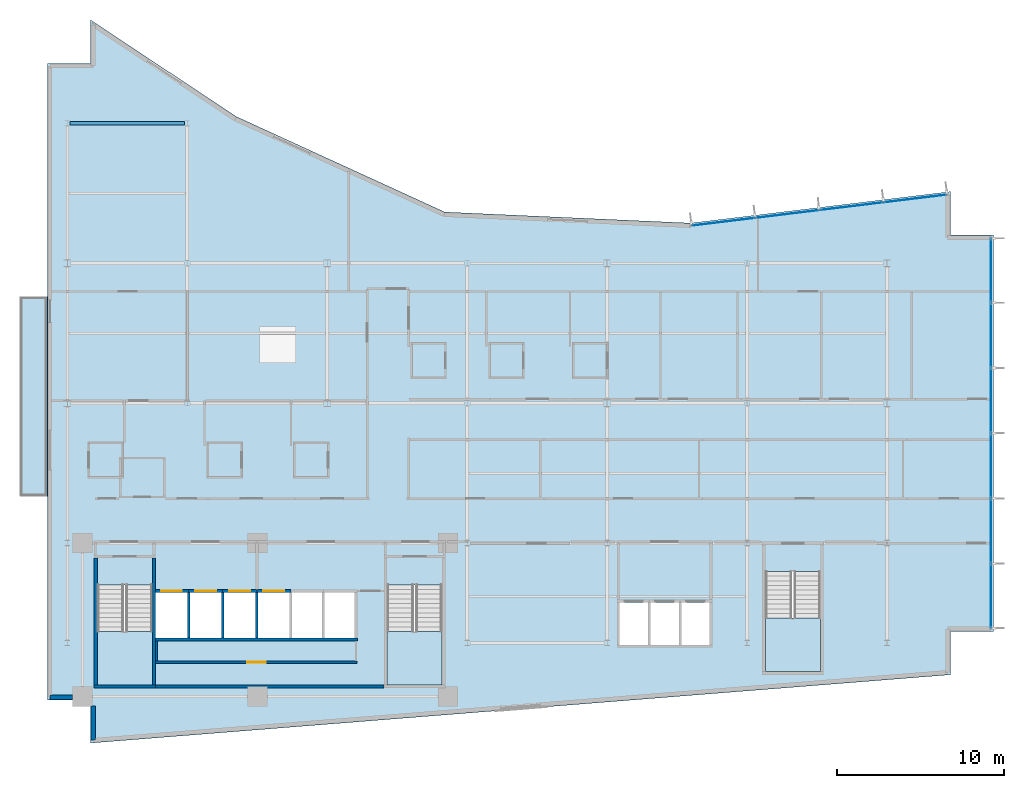
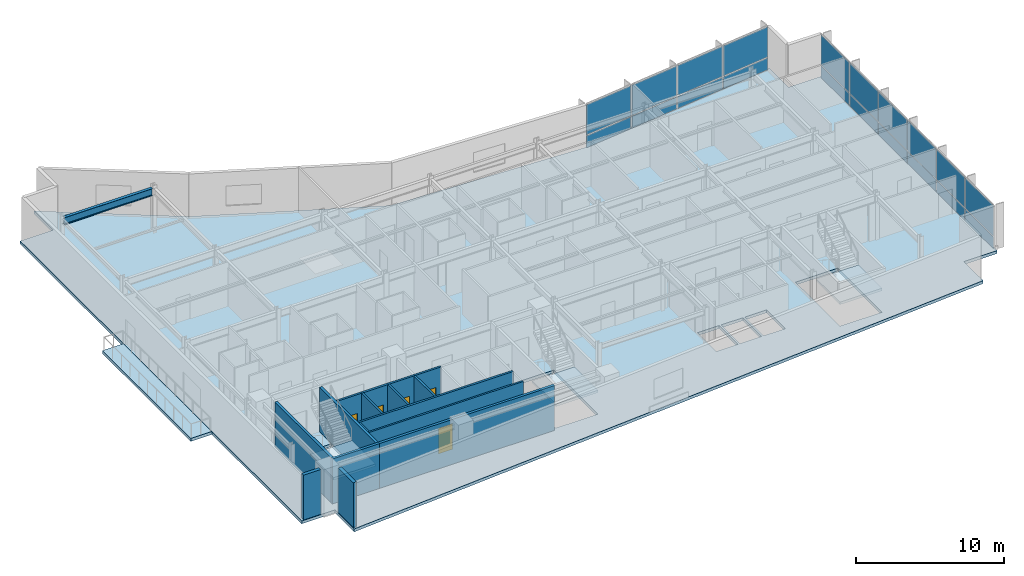
# One storey, part 9 of 19: 20 plates, 16 walls, 5 doors, 5 slabs, 1 beam, 5 openings, 5 elements without a shape of their own.
"""IFC4 building model written with IfcOpenShell, lengths in metres."""

from ifc_helpers import new_model, si_unit, direction, frame, frame_2d, origin, origin_2d, place, context, subcontext, project, spatial, polyline, rectangle, i_section, outline, extrude, material, layer, layer_set, material_profile, profile_set, type_object, element, fill, aggregate, save


model = new_model("IFC4")

# Units and contexts
model_context = context("Model", 3, precision=1e-05, world=origin(), true_north=direction((0.0, 1.0)))
body_context = subcontext(model_context, "Body", "Model", "MODEL_VIEW")
ifc_project = project(units=[si_unit("LENGTHUNIT", "METRE"), si_unit("AREAUNIT", "SQUARE_METRE"), si_unit("VOLUMEUNIT", "CUBIC_METRE"), si_unit("PLANEANGLEUNIT", "RADIAN"), si_unit("MASSUNIT", "GRAM", prefix="KILO")], contexts=[model_context])

# Site, building, storey
site_placement = place(None, origin())
site = spatial("IfcSite", under=ifc_project, at=site_placement, CompositionType="ELEMENT")
building_placement = place(site_placement, origin())
building = spatial("IfcBuilding", under=site, at=building_placement, Name="Varnakote Quay Hospital", CompositionType="ELEMENT")
storey_placement = place(building_placement, frame((0.0, 0.0, 115.199951171875)))
storey = spatial("IfcBuildingStorey", under=building, at=storey_placement, Name="L28", CompositionType="ELEMENT", Elevation=115.199951171875)

# Beam
ifc_material_1 = material(Name="Structural steel AS/NZS 3679.1 Grade 350 L0 (fy 340 MPa)", Category="steel")
ifc_material_profile = material_profile(ifc_material_1, i_section(OverallWidth=0.22802734375, OverallDepth=0.60205078125, WebThickness=0.010498046875, FlangeThickness=0.014892578125, FilletRadius=0.013916015625, at=origin_2d()), Name="610UB101")
ifc_profile_set = profile_set([ifc_material_profile], Name="Structural steel AS/NZS 3679.1 Grade 350 L0 (fy 340 MPa)")
beam_type = type_object("IfcBeamType", Name="BM-STL-610UB101", PredefinedType="BEAM", material=ifc_profile_set)
beam_placement = place(storey_placement, frame((1.3544921875, 37.199951171875, 3.408935546875), z_axis=(1.0, 0.0, 0.0), x_axis=(0.0, 1.0, 0.0)))
element("IfcBeam", 1, at=beam_placement, inside=storey, type_object=beam_type, Name="L28 Primary Floor Beam", PredefinedType="BEAM", context=body_context, shape_type="SweptSolid", body=[
    extrude(i_section(OverallWidth=0.22802734375, OverallDepth=0.60205078125, WebThickness=0.010498046875, FlangeThickness=0.014892578125, FilletRadius=0.013916015625, at=origin_2d()), origin(), (0.0, 0.0, 1.0), 6.89111328125),
])

# Curtain wall, plates
ifc_material_2 = material(Name="Anodised aluminium 6063-T6 Bronze", Category="aluminium")
ifc_layer_1 = layer(ifc_material_2, 0.205078125)
ifc_layer_set_1 = layer_set([ifc_layer_1], Name="Anodised aluminium 6063-T6 Bronze")
curtain_wall_type = type_object("IfcCurtainWallType", Name="CW-SYS-3", PredefinedType="NOTDEFINED", material=ifc_layer_set_1)
curtain_wall_1_placement = place(storey_placement, origin())
curtain_wall_1 = element("IfcCurtainWall", 2, at=curtain_wall_1_placement, inside=storey, type_object=curtain_wall_type, Name="L28 Unitised Bronze Curtain Wall 1", PredefinedType="NOTDEFINED")
ifc_material_3 = material(Name="Double-glazed low-E solar glass", Category="glass")
ifc_layer_2 = layer(ifc_material_3, 0.028076171875)
ifc_layer_set_2 = layer_set([ifc_layer_2], Name="Double-glazed low-E solar glass")
plate_type = type_object("IfcPlateType", Name="CW-PNL-GLZ-28", PredefinedType="CURTAIN_PANEL", material=ifc_layer_set_2)
plate_1_placement = place(storey_placement, frame((56.639892578125, 8.83544921875, 0.0751953125), z_axis=(0.0, 0.0, 1.0), x_axis=(0.0, 1.0, 0.0)))
plate_1 = element("IfcPlate", 3, at=plate_1_placement, type_object=plate_type, Name="-3-L28-1 panel 1.1", PredefinedType="CURTAIN_PANEL", context=body_context, shape_type="SweptSolid", body=[
    extrude(rectangle(XDim=3.80078125, YDim=0.028076171875, at=origin_2d()), origin(), (0.0, 0.0, 1.0), 0.987548828125),
])
plate_2_placement = place(storey_placement, frame((56.639892578125, 8.83544921875, 1.137451171875), z_axis=(0.0, 0.0, 1.0), x_axis=(0.0, 1.0, 0.0)))
plate_2 = element("IfcPlate", 4, at=plate_2_placement, type_object=plate_type, Name="-3-L28-1 panel 1.2", PredefinedType="CURTAIN_PANEL", context=body_context, shape_type="SweptSolid", body=[
    extrude(rectangle(XDim=3.80078125, YDim=0.028076171875, at=origin_2d()), origin(), (0.0, 0.0, 1.0), 2.49755859375),
])
plate_3_placement = place(storey_placement, frame((56.639892578125, 12.72998046875, 0.0751953125), z_axis=(0.0, 0.0, 1.0), x_axis=(0.0, 1.0, 0.0)))
plate_3 = element("IfcPlate", 5, at=plate_3_placement, type_object=plate_type, Name="-3-L28-1 panel 2.1", PredefinedType="CURTAIN_PANEL", context=body_context, shape_type="SweptSolid", body=[
    extrude(rectangle(XDim=3.83837890625, YDim=0.028076171875, at=origin_2d()), origin(), (0.0, 0.0, 1.0), 0.987548828125),
])
plate_4_placement = place(storey_placement, frame((56.639892578125, 12.72998046875, 1.137451171875), z_axis=(0.0, 0.0, 1.0), x_axis=(0.0, 1.0, 0.0)))
plate_4 = element("IfcPlate", 6, at=plate_4_placement, type_object=plate_type, Name="-3-L28-1 panel 2.2", PredefinedType="CURTAIN_PANEL", context=body_context, shape_type="SweptSolid", body=[
    extrude(rectangle(XDim=3.83837890625, YDim=0.028076171875, at=origin_2d()), origin(), (0.0, 0.0, 1.0), 2.49755859375),
])
plate_5_placement = place(storey_placement, frame((56.639892578125, 16.643310546875, 0.0751953125), z_axis=(0.0, 0.0, 1.0), x_axis=(0.0, 1.0, 0.0)))
plate_5 = element("IfcPlate", 7, at=plate_5_placement, type_object=plate_type, Name="-3-L28-1 panel 3.1", PredefinedType="CURTAIN_PANEL", context=body_context, shape_type="SweptSolid", body=[
    extrude(rectangle(XDim=3.83837890625, YDim=0.028076171875, at=origin_2d()), origin(), (0.0, 0.0, 1.0), 0.987548828125),
])
plate_6_placement = place(storey_placement, frame((56.639892578125, 16.643310546875, 1.137451171875), z_axis=(0.0, 0.0, 1.0), x_axis=(0.0, 1.0, 0.0)))
plate_6 = element("IfcPlate", 8, at=plate_6_placement, type_object=plate_type, Name="-3-L28-1 panel 3.2", PredefinedType="CURTAIN_PANEL", context=body_context, shape_type="SweptSolid", body=[
    extrude(rectangle(XDim=3.83837890625, YDim=0.028076171875, at=origin_2d()), origin(), (0.0, 0.0, 1.0), 2.49755859375),
])
plate_7_placement = place(storey_placement, frame((56.639892578125, 20.556640625, 0.0751953125), z_axis=(0.0, 0.0, 1.0), x_axis=(0.0, 1.0, 0.0)))
plate_7 = element("IfcPlate", 9, at=plate_7_placement, type_object=plate_type, Name="-3-L28-1 panel 4.1", PredefinedType="CURTAIN_PANEL", context=body_context, shape_type="SweptSolid", body=[
    extrude(rectangle(XDim=3.83837890625, YDim=0.028076171875, at=origin_2d()), origin(), (0.0, 0.0, 1.0), 0.987548828125),
])
plate_8_placement = place(storey_placement, frame((56.639892578125, 20.556640625, 1.137451171875), z_axis=(0.0, 0.0, 1.0), x_axis=(0.0, 1.0, 0.0)))
plate_8 = element("IfcPlate", 10, at=plate_8_placement, type_object=plate_type, Name="-3-L28-1 panel 4.2", PredefinedType="CURTAIN_PANEL", context=body_context, shape_type="SweptSolid", body=[
    extrude(rectangle(XDim=3.83837890625, YDim=0.028076171875, at=origin_2d()), origin(), (0.0, 0.0, 1.0), 2.49755859375),
])
plate_9_placement = place(storey_placement, frame((56.639892578125, 24.469970703125, 0.0751953125), z_axis=(0.0, 0.0, 1.0), x_axis=(0.0, 1.0, 0.0)))
plate_9 = element("IfcPlate", 11, at=plate_9_placement, type_object=plate_type, Name="-3-L28-1 panel 5.1", PredefinedType="CURTAIN_PANEL", context=body_context, shape_type="SweptSolid", body=[
    extrude(rectangle(XDim=3.83837890625, YDim=0.028076171875, at=origin_2d()), origin(), (0.0, 0.0, 1.0), 0.987548828125),
])
plate_10_placement = place(storey_placement, frame((56.639892578125, 24.469970703125, 1.137451171875), z_axis=(0.0, 0.0, 1.0), x_axis=(0.0, 1.0, 0.0)))
plate_10 = element("IfcPlate", 12, at=plate_10_placement, type_object=plate_type, Name="-3-L28-1 panel 5.2", PredefinedType="CURTAIN_PANEL", context=body_context, shape_type="SweptSolid", body=[
    extrude(rectangle(XDim=3.83837890625, YDim=0.028076171875, at=origin_2d()), origin(), (0.0, 0.0, 1.0), 2.49755859375),
])
plate_11_placement = place(storey_placement, frame((56.639892578125, 28.364501953125, 0.0751953125), z_axis=(0.0, 0.0, 1.0), x_axis=(0.0, 1.0, 0.0)))
plate_11 = element("IfcPlate", 13, at=plate_11_placement, type_object=plate_type, Name="-3-L28-1 panel 6.1", PredefinedType="CURTAIN_PANEL", context=body_context, shape_type="SweptSolid", body=[
    extrude(rectangle(XDim=3.80078125, YDim=0.028076171875, at=origin_2d()), origin(), (0.0, 0.0, 1.0), 0.987548828125),
])
plate_12_placement = place(storey_placement, frame((56.639892578125, 28.364501953125, 1.137451171875), z_axis=(0.0, 0.0, 1.0), x_axis=(0.0, 1.0, 0.0)))
plate_12 = element("IfcPlate", 14, at=plate_12_placement, type_object=plate_type, Name="-3-L28-1 panel 6.2", PredefinedType="CURTAIN_PANEL", context=body_context, shape_type="SweptSolid", body=[
    extrude(rectangle(XDim=3.80078125, YDim=0.028076171875, at=origin_2d()), origin(), (0.0, 0.0, 1.0), 2.49755859375),
])
aggregate(curtain_wall_1, [plate_1, plate_2, plate_3, plate_4, plate_5, plate_6, plate_7, plate_8, plate_9, plate_10, plate_11, plate_12])

curtain_wall_2_placement = place(storey_placement, origin())
curtain_wall_2 = element("IfcCurtainWall", 15, at=curtain_wall_2_placement, inside=storey, type_object=curtain_wall_type, Name="L28 Unitised Bronze Curtain Wall 2", PredefinedType="NOTDEFINED")
plate_13_placement = place(storey_placement, frame((52.09521484375, 32.68359375, 0.0751953125), z_axis=(0.0, 0.0, 1.0), x_axis=(-0.992734295067, -0.12032713492, 0.0)))
plate_13 = element("IfcPlate", 16, at=plate_13_placement, type_object=plate_type, Name="-3-L28-2 panel 1.1", PredefinedType="CURTAIN_PANEL", context=body_context, shape_type="SweptSolid", body=[
    extrude(rectangle(XDim=3.76806640625, YDim=0.028076171875, at=origin_2d()), origin(), (0.0, 0.0, 1.0), 0.987548828125),
])
plate_14_placement = place(storey_placement, frame((52.09521484375, 32.68359375, 1.137451171875), z_axis=(0.0, 0.0, 1.0), x_axis=(-0.992734295067, -0.12032713492, 0.0)))
plate_14 = element("IfcPlate", 17, at=plate_14_placement, type_object=plate_type, Name="-3-L28-2 panel 1.2", PredefinedType="CURTAIN_PANEL", context=body_context, shape_type="SweptSolid", body=[
    extrude(rectangle(XDim=3.76806640625, YDim=0.028076171875, at=origin_2d()), origin(), (0.0, 0.0, 1.0), 2.49755859375),
])
plate_15_placement = place(storey_placement, frame((48.26123046875, 32.218994140625, 0.0751953125), z_axis=(0.0, 0.0, 1.0), x_axis=(-0.992734295067, -0.12032713492, 0.0)))
plate_15 = element("IfcPlate", 18, at=plate_15_placement, type_object=plate_type, Name="-3-L28-2 panel 2.1", PredefinedType="CURTAIN_PANEL", context=body_context, shape_type="SweptSolid", body=[
    extrude(rectangle(XDim=3.8056640625, YDim=0.028076171875, at=origin_2d()), origin(), (0.0, 0.0, 1.0), 0.987548828125),
])
plate_16_placement = place(storey_placement, frame((48.26123046875, 32.218994140625, 1.137451171875), z_axis=(0.0, 0.0, 1.0), x_axis=(-0.992734295067, -0.12032713492, 0.0)))
plate_16 = element("IfcPlate", 19, at=plate_16_placement, type_object=plate_type, Name="-3-L28-2 panel 2.2", PredefinedType="CURTAIN_PANEL", context=body_context, shape_type="SweptSolid", body=[
    extrude(rectangle(XDim=3.8056640625, YDim=0.028076171875, at=origin_2d()), origin(), (0.0, 0.0, 1.0), 2.49755859375),
])
plate_17_placement = place(storey_placement, frame((44.40869140625, 31.751953125, 0.0751953125), z_axis=(0.0, 0.0, 1.0), x_axis=(-0.992734295067, -0.12032713492, 0.0)))
plate_17 = element("IfcPlate", 20, at=plate_17_placement, type_object=plate_type, Name="-3-L28-2 panel 3.1", PredefinedType="CURTAIN_PANEL", context=body_context, shape_type="SweptSolid", body=[
    extrude(rectangle(XDim=3.8056640625, YDim=0.028076171875, at=origin_2d()), origin(), (0.0, 0.0, 1.0), 0.987548828125),
])
plate_18_placement = place(storey_placement, frame((44.40869140625, 31.751953125, 1.137451171875), z_axis=(0.0, 0.0, 1.0), x_axis=(-0.992734295067, -0.12032713492, 0.0)))
plate_18 = element("IfcPlate", 21, at=plate_18_placement, type_object=plate_type, Name="-3-L28-2 panel 3.2", PredefinedType="CURTAIN_PANEL", context=body_context, shape_type="SweptSolid", body=[
    extrude(rectangle(XDim=3.8056640625, YDim=0.028076171875, at=origin_2d()), origin(), (0.0, 0.0, 1.0), 2.49755859375),
])
plate_19_placement = place(storey_placement, frame((40.574951171875, 31.287353515625, 0.0751953125), z_axis=(0.0, 0.0, 1.0), x_axis=(-0.992734295067, -0.12032713492, 0.0)))
plate_19 = element("IfcPlate", 22, at=plate_19_placement, type_object=plate_type, Name="-3-L28-2 panel 4.1", PredefinedType="CURTAIN_PANEL", context=body_context, shape_type="SweptSolid", body=[
    extrude(rectangle(XDim=3.76806640625, YDim=0.028076171875, at=origin_2d()), origin(), (0.0, 0.0, 1.0), 0.987548828125),
])
plate_20_placement = place(storey_placement, frame((40.574951171875, 31.287353515625, 1.137451171875), z_axis=(0.0, 0.0, 1.0), x_axis=(-0.992734295067, -0.12032713492, 0.0)))
plate_20 = element("IfcPlate", 23, at=plate_20_placement, type_object=plate_type, Name="-3-L28-2 panel 4.2", PredefinedType="CURTAIN_PANEL", context=body_context, shape_type="SweptSolid", body=[
    extrude(rectangle(XDim=3.76806640625, YDim=0.028076171875, at=origin_2d()), origin(), (0.0, 0.0, 1.0), 2.49755859375),
])
aggregate(curtain_wall_2, [plate_13, plate_14, plate_15, plate_16, plate_17, plate_18, plate_19, plate_20])

# Stair, slab
ifc_material_4 = material(Name="Concrete N40 (f'c 40 MPa)", Category="concrete")
stair_type = type_object("IfcStairType", Name="STR-CORE-1580", PredefinedType="HALF_TURN_STAIR", material=ifc_material_4)
stair_1_placement = place(storey_placement, origin())
stair_1 = element("IfcStair", 24, at=stair_1_placement, inside=storey, type_object=stair_type, Name="L28 Fire-Isolated Exit Stair ST-01", PredefinedType="HALF_TURN_STAIR")
ifc_material_5 = material(Name="Concrete N40 (f'c 40 MPa)", Category="concrete")
ifc_layer_3 = layer(ifc_material_5, 0.199951171875)
ifc_layer_set_3 = layer_set([ifc_layer_3], Name="Concrete N40 (f'c 40 MPa)")
slab_type_1 = type_object("IfcSlabType", Name="SLB-STAIR-LND-200", PredefinedType="LANDING", material=ifc_layer_set_3)
slab_1_placement = place(storey_placement, frame((0.0, 0.0, 1.775146484375)))
slab_1 = element("IfcSlab", 25, at=slab_1_placement, type_object=slab_type_1, Name="ST-01 landing 1", PredefinedType="LANDING", context=body_context, shape_type="SweptSolid", body=[
    extrude(outline(polyline([(3.0, 6.699951171875), (3.0, 3.5), (6.300048828125, 3.5), (6.300048828125, 6.699951171875), (3.0, 6.699951171875)])), origin(), (0.0, 0.0, 1.0), 0.199951171875),
])
aggregate(stair_1, [slab_1])

stair_2_placement = place(storey_placement, origin())
stair_2 = element("IfcStair", 26, at=stair_2_placement, inside=storey, type_object=stair_type, Name="L28 Fire-Isolated Exit Stair ST-02", PredefinedType="HALF_TURN_STAIR")
slab_2_placement = place(storey_placement, frame((0.0, 0.0, 1.775146484375)))
slab_2 = element("IfcSlab", 27, at=slab_2_placement, type_object=slab_type_1, Name="ST-02 landing 1", PredefinedType="LANDING", context=body_context, shape_type="SweptSolid", body=[
    extrude(outline(polyline([(20.39990234375, 6.699951171875), (20.39990234375, 3.5), (23.699951171875, 3.5), (23.699951171875, 6.699951171875), (20.39990234375, 6.699951171875)])), origin(), (0.0, 0.0, 1.0), 0.199951171875),
])
aggregate(stair_2, [slab_2])

stair_3_placement = place(storey_placement, origin())
stair_3 = element("IfcStair", 28, at=stair_3_placement, inside=storey, type_object=stair_type, Name="L28 Fire-Isolated Exit Stair ST-03", PredefinedType="HALF_TURN_STAIR")
slab_3_placement = place(storey_placement, frame((0.0, 0.0, 1.775146484375)))
slab_3 = element("IfcSlab", 29, at=slab_3_placement, type_object=slab_type_1, Name="ST-03 landing 1", PredefinedType="LANDING", context=body_context, shape_type="SweptSolid", body=[
    extrude(outline(polyline([(43.10009765625, 7.5), (43.10009765625, 4.300048828125), (46.39990234375, 4.300048828125), (46.39990234375, 7.5), (43.10009765625, 7.5)])), origin(), (0.0, 0.0, 1.0), 0.199951171875),
])
aggregate(stair_3, [slab_3])

# Slabs
ifc_material_6 = material(Name="Concrete N50 (f'c 50 MPa)", Category="concrete")
ifc_layer_4 = layer(ifc_material_6, 0.239990234375)
ifc_layer_set_4 = layer_set([ifc_layer_4], Name="Concrete N50 (f'c 50 MPa)")
slab_type_2 = type_object("IfcSlabType", Name="SLB-TERR-200", PredefinedType="FLOOR", material=ifc_layer_set_4)
slab_4_placement = place(storey_placement, frame((0.0, 0.0, -0.239990234375)))
element("IfcSlab", 30, at=slab_4_placement, inside=storey, type_object=slab_type_2, Name="L28 Waterfront Healing Terrace Slab", PredefinedType="FLOOR", context=body_context, shape_type="SweptSolid", body=[
    extrude(outline(polyline([(0.00390625, 14.800048828125), (0.00390625, 26.800048828125), (-1.639892578125, 26.800048828125), (-1.639892578125, 14.800048828125), (0.00390625, 14.800048828125)])), origin(), (0.0, 0.0, 1.0), 0.239990234375),
])
ifc_material_7 = material(Name="Concrete N50 (f'c 50 MPa)", Category="concrete")
ifc_layer_5 = layer(ifc_material_7, 0.239990234375)
ifc_layer_set_5 = layer_set([ifc_layer_5], Name="Concrete N50 (f'c 50 MPa)")
slab_type_3 = type_object("IfcSlabType", Name="SLB-WARD-200", PredefinedType="FLOOR", material=ifc_layer_set_5)
slab_5_placement = place(storey_placement, frame((0.0, 0.0, -0.239990234375)))
element("IfcSlab", 31, at=slab_5_placement, inside=storey, type_object=slab_type_3, Name="L28 Primary Floor Slab", PredefinedType="FLOOR", context=body_context, shape_type="SweptSolid", body=[
    extrude(outline(polyline([(0.0, 2.60009765625), (2.60009765625, 2.60009765625), (2.60009765625, 0.0), (54.199951171875, 4.10009765625), (54.199951171875, 6.699951171875), (56.800048828125, 6.699951171875), (56.800048828125, 30.5), (54.199951171875, 30.5), (54.199951171875, 33.10009765625), (38.6240234375, 31.2119140625), (23.85595703125, 31.8740234375), (11.360107421875, 37.595947265625), (2.60009765625, 43.39990234375), (2.60009765625, 40.800048828125), (0.0, 40.800048828125), (0.0, 2.60009765625)]), holes=[polyline([(3.0, 3.5), (6.300048828125, 3.5), (6.300048828125, 9.49951171875), (3.0, 9.49951171875), (3.0, 3.5)]), polyline([(20.39990234375, 3.5), (23.699951171875, 3.5), (23.699951171875, 9.49951171875), (20.39990234375, 9.49951171875), (20.39990234375, 3.5)]), polyline([(43.10009765625, 4.300048828125), (46.39990234375, 4.300048828125), (46.39990234375, 10.29931640625), (43.10009765625, 10.29931640625), (43.10009765625, 4.300048828125)]), polyline([(6.5, 6.300048828125), (8.39990234375, 6.300048828125), (8.39990234375, 9.050048828125), (6.5, 9.050048828125), (6.5, 6.300048828125)]), polyline([(8.550048828125, 6.300048828125), (10.449951171875, 6.300048828125), (10.449951171875, 9.050048828125), (8.550048828125, 9.050048828125), (8.550048828125, 6.300048828125)]), polyline([(10.60009765625, 6.300048828125), (12.5, 6.300048828125), (12.5, 9.050048828125), (10.60009765625, 9.050048828125), (10.60009765625, 6.300048828125)]), polyline([(12.64990234375, 6.300048828125), (14.550048828125, 6.300048828125), (14.550048828125, 9.050048828125), (12.64990234375, 9.050048828125), (12.64990234375, 6.300048828125)]), polyline([(14.699951171875, 6.300048828125), (16.5, 6.300048828125), (16.5, 9.050048828125), (14.699951171875, 9.050048828125), (14.699951171875, 6.300048828125)]), polyline([(16.64990234375, 6.300048828125), (18.449951171875, 6.300048828125), (18.449951171875, 9.050048828125), (16.64990234375, 9.050048828125), (16.64990234375, 6.300048828125)]), polyline([(34.35009765625, 5.89990234375), (36.050048828125, 5.89990234375), (36.050048828125, 8.449951171875), (34.35009765625, 8.449951171875), (34.35009765625, 5.89990234375)]), polyline([(36.199951171875, 5.89990234375), (37.89990234375, 5.89990234375), (37.89990234375, 8.449951171875), (36.199951171875, 8.449951171875), (36.199951171875, 5.89990234375)]), polyline([(38.050048828125, 5.89990234375), (39.75, 5.89990234375), (39.75, 8.449951171875), (38.050048828125, 8.449951171875), (38.050048828125, 5.89990234375)])]), origin(), (0.0, 0.0, 1.0), 0.239990234375),
])

# Walls
ifc_material_8 = material(Name="Concrete N65 (f'c 65 MPa)", Category="concrete")
ifc_layer_6 = layer(ifc_material_8, 0.199951171875)
ifc_layer_set_6 = layer_set([ifc_layer_6], Name="Concrete N65 (f'c 65 MPa)")
wall_type_1 = type_object("IfcWallType", Name="WL-CORE-N65-200", PredefinedType="SHEAR", material=ifc_layer_set_6)
wall_1_placement = place(storey_placement, frame((6.5, 3.39990234375, 0.0), z_axis=(0.0, 0.0, 1.0), x_axis=(1.0, 0.0, 0.0)))
element("IfcWall", 32, at=wall_1_placement, inside=storey, type_object=wall_type_1, Name="L28 Rear Core South Shear Wall", PredefinedType="SHEAR", context=body_context, shape_type="SweptSolid", body=[
    extrude(rectangle(XDim=13.699951171875, YDim=0.199951171875, at=frame_2d((6.85009765625, 0.0))), origin(), (0.0, 0.0, 1.0), 3.7099609375),
])
ifc_material_9 = material(Name="Precast concrete N50 (f'c 50 MPa)", Category="concrete")
ifc_layer_7 = layer(ifc_material_9, 0.260009765625)
ifc_layer_set_7 = layer_set([ifc_layer_7], Name="Precast concrete N50 (f'c 50 MPa)")
wall_type_2 = type_object("IfcWallType", Name="WL-EXT-BRICK-260", PredefinedType="STANDARD", material=ifc_layer_set_7)
wall_2_placement = place(storey_placement, frame((2.760009765625, 2.215087890625, 0.0), z_axis=(0.0, 0.0, 1.0), x_axis=(0.0, -1.0, 0.0)))
element("IfcWall", 33, at=wall_2_placement, inside=storey, type_object=wall_type_2, Name="L28 Brick-Faced Precast Exterior Wall", PredefinedType="STANDARD", context=body_context, shape_type="SweptSolid", body=[
    extrude(rectangle(XDim=2.0419921875, YDim=0.260009765625, at=frame_2d((1.02099609375, 0.0))), origin(), (0.0, 0.0, 1.0), 3.7099609375),
])
wall_3_placement = place(storey_placement, frame((0.159912109375, 2.760009765625, 0.0), z_axis=(0.0, 0.0, 1.0), x_axis=(1.0, 0.0, 0.0)))
element("IfcWall", 34, at=wall_3_placement, inside=storey, type_object=wall_type_2, Name="L28 Brick-Faced Precast Exterior Wall", PredefinedType="STANDARD", context=body_context, shape_type="SweptSolid", body=[
    extrude(rectangle(XDim=1.35498046875, YDim=0.260009765625, at=frame_2d((0.677490234375, 0.0))), origin(), (0.0, 0.0, 1.0), 3.7099609375),
])
ifc_material_10 = material(Name="Concrete N50 (f'c 50 MPa)", Category="concrete")
ifc_layer_8 = layer(ifc_material_10, 0.14990234375)
ifc_layer_set_8 = layer_set([ifc_layer_8], Name="Concrete N50 (f'c 50 MPa)")
wall_type_3 = type_object("IfcWallType", Name="WL-SHAFT-N50-150", PredefinedType="SHEAR", material=ifc_layer_set_8)
for number, where, z_axis, x_axis, name in (
    (35, (8.47509765625, 6.300048828125, 0.0), (0.0, 0.0, 1.0), (0.0, 1.0, 0.0), "L28 LF-FF1 Hoistway Divider Wall"),
    (36, (10.52490234375, 6.300048828125, 0.0), (0.0, 0.0, 1.0), (0.0, 1.0, 0.0), "L28 LF-FF2 Hoistway Divider Wall"),
    (37, (12.574951171875, 6.300048828125, 0.0), (0.0, 0.0, 1.0), (0.0, 1.0, 0.0), "L28 LF-SV1 Hoistway Divider Wall"),
):
    element("IfcWall", number, at=place(storey_placement, frame(where, z_axis=z_axis, x_axis=x_axis)), inside=storey, type_object=wall_type_3, Name=name, PredefinedType="SHEAR", context=body_context, shape_type="SweptSolid", body=[
        extrude(rectangle(XDim=2.75, YDim=0.14990234375, at=frame_2d((1.375, 0.0))), origin(), (0.0, 0.0, 1.0), 3.7099609375),
    ])
ifc_material_11 = material(Name="Concrete N50 (f'c 50 MPa)", Category="concrete")
ifc_layer_9 = layer(ifc_material_11, 0.159912109375)
ifc_layer_set_9 = layer_set([ifc_layer_9], Name="Concrete N50 (f'c 50 MPa)")
wall_type_4 = type_object("IfcWallType", Name="WL-SHAFT-N50-160", PredefinedType="SHEAR", material=ifc_layer_set_9)
wall_4_placement = place(storey_placement, frame((6.5, 6.219970703125, 0.0), z_axis=(0.0, 0.0, 1.0), x_axis=(1.0, 0.0, 0.0)))
element("IfcWall", 38, at=wall_4_placement, inside=storey, type_object=wall_type_4, Name="L28 REAR Lift Bank Back Shear Wall", PredefinedType="SHEAR", context=body_context, shape_type="SweptSolid", body=[
    extrude(rectangle(XDim=12.110107421875, YDim=0.159912109375, at=frame_2d((6.05517578125, 0.0))), origin(), (0.0, 0.0, 1.0), 3.7099609375),
])

# Wall, opening, door
wall_5_placement = place(storey_placement, frame((6.5, 9.1298828125, 0.0), z_axis=(0.0, 0.0, 1.0), x_axis=(1.0, 0.0, 0.0)))
wall_5 = element("IfcWall", 39, at=wall_5_placement, inside=storey, type_object=wall_type_4, Name="L28 LF-FF1 Hoistway Front Wall", PredefinedType="SHEAR", context=body_context, shape_type="SweptSolid", body=[
    extrude(rectangle(XDim=1.97509765625, YDim=0.159912109375, at=frame_2d((0.987548828125, 0.0))), origin(), (0.0, 0.0, 1.0), 3.7099609375),
])
opening_1_placement = place(wall_5_placement, frame((0.324951171875, 0.0, 0.0)))
opening_1 = element("IfcOpeningElement", 40, at=opening_1_placement, cuts=wall_5, Name="Opening LD-FF1-L28", PredefinedType="OPENING", context=body_context, shape_type="SweptSolid", body=[
    extrude(rectangle(XDim=1.25, YDim=2.14990234375, at=frame_2d((0.625, 1.074951171875))), frame((0.0, 0.08984375, 0.0), z_axis=(0.0, -1.0, 0.0), x_axis=(1.0, 0.0, 0.0)), (0.0, 0.0, 1.0), 0.179931640625),
])
ifc_material_12 = material(Name="Stainless steel lift landing sliding door", Category="steel")
door_type_1 = type_object("IfcDoorType", Name="DR-LIFT-LD-1250x2150", OperationType="NOTDEFINED", PredefinedType="DOOR", material=ifc_material_12)
door_1_placement = place(opening_1_placement, origin())
door_1 = element("IfcDoor", 41, at=door_1_placement, inside=storey, type_object=door_type_1, Name="L28 LF-FF1 Lift Landing Sliding Door", OperationType="SLIDING_TO_LEFT", OverallHeight=2.14990234375, OverallWidth=1.25, PredefinedType="DOOR", context=body_context, shape_type="SweptSolid", body=[
    extrude(rectangle(XDim=1.25, YDim=2.14990234375, at=frame_2d((0.625, 1.074951171875))), frame((0.0, 0.02490234375, 0.0), z_axis=(0.0, -1.0, 0.0), x_axis=(1.0, 0.0, 0.0)), (0.0, 0.0, 1.0), 0.050048828125),
])
fill(opening_1, door_1)

wall_6_placement = place(storey_placement, frame((8.47509765625, 9.1298828125, 0.0), z_axis=(0.0, 0.0, 1.0), x_axis=(1.0, 0.0, 0.0)))
wall_6 = element("IfcWall", 42, at=wall_6_placement, inside=storey, type_object=wall_type_4, Name="L28 LF-FF2 Hoistway Front Wall", PredefinedType="SHEAR", context=body_context, shape_type="SweptSolid", body=[
    extrude(rectangle(XDim=2.0498046875, YDim=0.159912109375, at=frame_2d((1.02490234375, 0.0))), origin(), (0.0, 0.0, 1.0), 3.7099609375),
])
opening_2_placement = place(wall_6_placement, frame((0.39990234375, 0.0, 0.0)))
opening_2 = element("IfcOpeningElement", 43, at=opening_2_placement, cuts=wall_6, Name="Opening LD-FF2-L28", PredefinedType="OPENING", context=body_context, shape_type="SweptSolid", body=[
    extrude(rectangle(XDim=1.25, YDim=2.14990234375, at=frame_2d((0.625, 1.074951171875))), frame((0.0, 0.08984375, 0.0), z_axis=(0.0, -1.0, 0.0), x_axis=(1.0, 0.0, 0.0)), (0.0, 0.0, 1.0), 0.179931640625),
])
door_2_placement = place(opening_2_placement, origin())
door_2 = element("IfcDoor", 44, at=door_2_placement, inside=storey, type_object=door_type_1, Name="L28 LF-FF2 Lift Landing Sliding Door", OperationType="SLIDING_TO_LEFT", OverallHeight=2.14990234375, OverallWidth=1.25, PredefinedType="DOOR", context=body_context, shape_type="SweptSolid", body=[
    extrude(rectangle(XDim=1.25, YDim=2.14990234375, at=frame_2d((0.625, 1.074951171875))), frame((0.0, 0.02490234375, 0.0), z_axis=(0.0, -1.0, 0.0), x_axis=(1.0, 0.0, 0.0)), (0.0, 0.0, 1.0), 0.050048828125),
])
fill(opening_2, door_2)

wall_7_placement = place(storey_placement, frame((10.52490234375, 9.1298828125, 0.0), z_axis=(0.0, 0.0, 1.0), x_axis=(1.0, 0.0, 0.0)))
wall_7 = element("IfcWall", 45, at=wall_7_placement, inside=storey, type_object=wall_type_4, Name="L28 LF-SV1 Hoistway Front Wall", PredefinedType="SHEAR", context=body_context, shape_type="SweptSolid", body=[
    extrude(rectangle(XDim=2.050048828125, YDim=0.159912109375, at=frame_2d((1.02490234375, 0.0))), origin(), (0.0, 0.0, 1.0), 3.7099609375),
])
opening_3_placement = place(wall_7_placement, frame((0.39990234375, 0.0, 0.0)))
opening_3 = element("IfcOpeningElement", 46, at=opening_3_placement, cuts=wall_7, Name="Opening LD-SV1-L28", PredefinedType="OPENING", context=body_context, shape_type="SweptSolid", body=[
    extrude(rectangle(XDim=1.25, YDim=2.14990234375, at=frame_2d((0.625, 1.074951171875))), frame((0.0, 0.08984375, 0.0), z_axis=(0.0, -1.0, 0.0), x_axis=(1.0, 0.0, 0.0)), (0.0, 0.0, 1.0), 0.179931640625),
])
door_3_placement = place(opening_3_placement, origin())
door_3 = element("IfcDoor", 47, at=door_3_placement, inside=storey, type_object=door_type_1, Name="L28 LF-SV1 Lift Landing Sliding Door", OperationType="SLIDING_TO_LEFT", OverallHeight=2.14990234375, OverallWidth=1.25, PredefinedType="DOOR", context=body_context, shape_type="SweptSolid", body=[
    extrude(rectangle(XDim=1.25, YDim=2.14990234375, at=frame_2d((0.625, 1.074951171875))), frame((0.0, 0.02490234375, 0.0), z_axis=(0.0, -1.0, 0.0), x_axis=(1.0, 0.0, 0.0)), (0.0, 0.0, 1.0), 0.050048828125),
])
fill(opening_3, door_3)

wall_8_placement = place(storey_placement, frame((12.574951171875, 9.1298828125, 0.0), z_axis=(0.0, 0.0, 1.0), x_axis=(1.0, 0.0, 0.0)))
wall_8 = element("IfcWall", 48, at=wall_8_placement, inside=storey, type_object=wall_type_4, Name="L28 LF-SV2 Hoistway Front Wall", PredefinedType="SHEAR", context=body_context, shape_type="SweptSolid", body=[
    extrude(rectangle(XDim=2.050048828125, YDim=0.159912109375, at=frame_2d((1.02490234375, 0.0))), origin(), (0.0, 0.0, 1.0), 3.7099609375),
])
opening_4_placement = place(wall_8_placement, frame((0.39990234375, 0.0, 0.0)))
opening_4 = element("IfcOpeningElement", 49, at=opening_4_placement, cuts=wall_8, Name="Opening LD-SV2-L28", PredefinedType="OPENING", context=body_context, shape_type="SweptSolid", body=[
    extrude(rectangle(XDim=1.25, YDim=2.14990234375, at=frame_2d((0.625, 1.074951171875))), frame((0.0, 0.08984375, 0.0), z_axis=(0.0, -1.0, 0.0), x_axis=(1.0, 0.0, 0.0)), (0.0, 0.0, 1.0), 0.179931640625),
])
door_4_placement = place(opening_4_placement, origin())
door_4 = element("IfcDoor", 50, at=door_4_placement, inside=storey, type_object=door_type_1, Name="L28 LF-SV2 Lift Landing Sliding Door", OperationType="SLIDING_TO_LEFT", OverallHeight=2.14990234375, OverallWidth=1.25, PredefinedType="DOOR", context=body_context, shape_type="SweptSolid", body=[
    extrude(rectangle(XDim=1.25, YDim=2.14990234375, at=frame_2d((0.625, 1.074951171875))), frame((0.0, 0.02490234375, 0.0), z_axis=(0.0, -1.0, 0.0), x_axis=(1.0, 0.0, 0.0)), (0.0, 0.0, 1.0), 0.050048828125),
])
fill(opening_4, door_4)

# Walls
ifc_material_13 = material(Name="Concrete N50 (f'c 50 MPa)", Category="concrete")
ifc_layer_10 = layer(ifc_material_13, 0.199951171875)
ifc_layer_set_10 = layer_set([ifc_layer_10], Name="Concrete N50 (f'c 50 MPa)")
wall_type_5 = type_object("IfcWallType", Name="WL-SHAFT-N50-200", PredefinedType="SHEAR", material=ifc_layer_set_10)
wall_9_placement = place(storey_placement, frame((2.800048828125, 3.39990234375, 0.0), z_axis=(0.0, 0.0, 1.0), x_axis=(1.0, 0.0, 0.0)))
element("IfcWall", 51, at=wall_9_placement, inside=storey, type_object=wall_type_5, Name="L28 Stair ST1 South Shaft Wall", PredefinedType="SHEAR", context=body_context, shape_type="SweptSolid", body=[
    extrude(rectangle(XDim=3.699951171875, YDim=0.199951171875, at=frame_2d((1.85009765625, 0.0))), origin(), (0.0, 0.0, 1.0), 3.7099609375),
])
for number, where, z_axis, x_axis, name in (
    (52, (2.89990234375, 3.5, 0.0), (0.0, 0.0, 1.0), (0.0, 1.0, 0.0), "L28 Stair ST1 West Shaft Wall"),
    (53, (6.39990234375, 3.5, 0.0), (0.0, 0.0, 1.0), (0.0, 1.0, 0.0), "L28 Stair ST1 East Shaft Wall"),
):
    element("IfcWall", number, at=place(storey_placement, frame(where, z_axis=z_axis, x_axis=x_axis)), inside=storey, type_object=wall_type_5, Name=name, PredefinedType="SHEAR", context=body_context, shape_type="SweptSolid", body=[
        extrude(rectangle(XDim=7.60009765625, YDim=0.199951171875, at=frame_2d((3.800048828125, 0.0))), origin(), (0.0, 0.0, 1.0), 3.7099609375),
    ])
ifc_material_14 = material(Name="Smoke-proof clinical partition", Category="gypsum")
ifc_layer_11 = layer(ifc_material_14, 0.1201171875)
ifc_layer_set_11 = layer_set([ifc_layer_11], Name="Smoke-proof clinical partition")
wall_type_6 = type_object("IfcWallType", Name="WL-SMOKE-120", PredefinedType="PARTITIONING", material=ifc_layer_set_11)
wall_10_placement = place(storey_placement, frame((6.56005859375, 4.919921875, 0.0), z_axis=(0.0, 0.0, 1.0), x_axis=(0.0, 1.0, 0.0)))
element("IfcWall", 54, at=wall_10_placement, inside=storey, type_object=wall_type_6, Name="L28 Core Service Strip West Wall", PredefinedType="PARTITIONING", context=body_context, shape_type="SweptSolid", body=[
    extrude(rectangle(XDim=1.219970703125, YDim=0.1201171875, at=frame_2d((0.60986328125, 0.0))), origin(), (0.0, 0.0, 1.0), 3.7099609375),
])

# Wall, opening, door
ifc_material_15 = material(Name="Fire-rated clinical gypsum partition", Category="gypsum")
ifc_layer_12 = layer(ifc_material_15, 0.139892578125)
ifc_layer_set_12 = layer_set([ifc_layer_12], Name="Fire-rated clinical gypsum partition")
wall_type_7 = type_object("IfcWallType", Name="WL-WARD-140", PredefinedType="PARTITIONING", material=ifc_layer_set_12)
wall_11_placement = place(storey_placement, frame((6.5, 4.85009765625, 0.0), z_axis=(0.0, 0.0, 1.0), x_axis=(1.0, 0.0, 0.0)))
wall_11 = element("IfcWall", 55, at=wall_11_placement, inside=storey, type_object=wall_type_7, Name="L28 Core Clean Linen Store South Wall", PredefinedType="PARTITIONING", context=body_context, shape_type="SweptSolid", body=[
    extrude(rectangle(XDim=12.10009765625, YDim=0.139892578125, at=frame_2d((6.050048828125, 0.0))), origin(), (0.0, 0.0, 1.0), 3.7099609375),
])
opening_5_placement = place(wall_11_placement, frame((5.5, 0.0, 0.0)))
opening_5 = element("IfcOpeningElement", 56, at=opening_5_placement, cuts=wall_11, Name="Opening D-L28-CR01", PredefinedType="OPENING", context=body_context, shape_type="SweptSolid", body=[
    extrude(rectangle(XDim=1.10009765625, YDim=2.10009765625, at=frame_2d((0.550048828125, 1.050048828125))), frame((0.0, 0.079833984375, 0.0), z_axis=(0.0, -1.0, 0.0), x_axis=(1.0, 0.0, 0.0)), (0.0, 0.0, 1.0), 0.159912109375),
])
ifc_material_16 = material(Name="Acoustic timber clinical consult door", Category="wood")
door_type_2 = type_object("IfcDoorType", Name="DR-CLIN-FD30S-1100x2100", OperationType="NOTDEFINED", PredefinedType="DOOR", material=ifc_material_16)
door_5_placement = place(opening_5_placement, origin())
door_5 = element("IfcDoor", 57, at=door_5_placement, inside=storey, type_object=door_type_2, Name="L28 Core Clean Linen Store Door", OperationType="SINGLE_SWING_RIGHT", OverallHeight=2.10009765625, OverallWidth=1.10009765625, PredefinedType="DOOR", context=body_context, shape_type="SweptSolid", body=[
    extrude(rectangle(XDim=1.10009765625, YDim=2.10009765625, at=frame_2d((0.550048828125, 1.050048828125))), frame((0.0, 0.02490234375, 0.0), z_axis=(0.0, -1.0, 0.0), x_axis=(1.0, 0.0, 0.0)), (0.0, 0.0, 1.0), 0.050048828125),
])
fill(opening_5, door_5)

save(model, "model.ifc")
